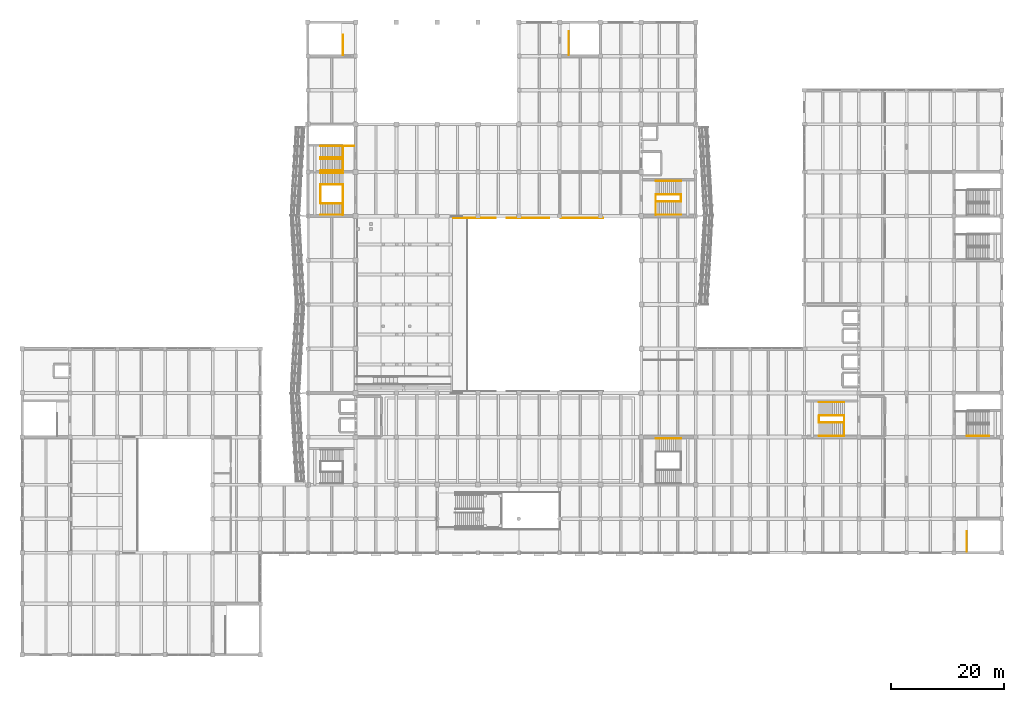
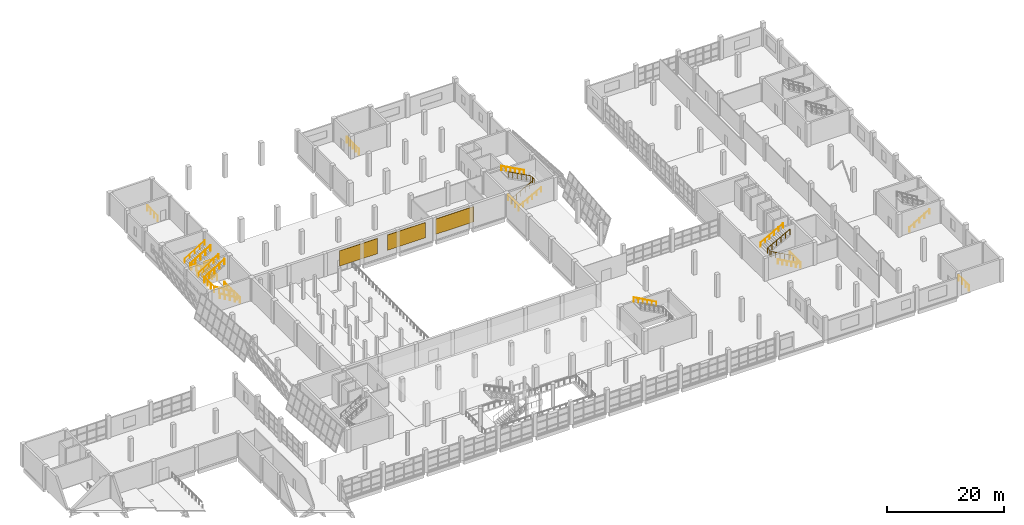
# One storey, part 90 of 91: 21 railings, 3 coverings.
"""IFC4 building model written with IfcOpenShell, lengths in metres."""

from ifc_helpers import new_model, si_unit, direction, frame, origin, origin_2d, place, context, subcontext, project, spatial, polyline, circle, outline, extrude, material, layer, layer_set, type_object, element, save


model = new_model("IFC4")

# Units and contexts
model_context = context("Model", 3, precision=1e-05, world=origin(), true_north=direction((0.0, 1.0)))
body_context = subcontext(model_context, "Body", "Model", "MODEL_VIEW")
ifc_project = project(units=[si_unit("LENGTHUNIT", "METRE"), si_unit("AREAUNIT", "SQUARE_METRE"), si_unit("VOLUMEUNIT", "CUBIC_METRE"), si_unit("PLANEANGLEUNIT", "RADIAN"), si_unit("MASSUNIT", "GRAM", prefix="KILO")], contexts=[model_context])

# Site, building, storey
site_placement = place(None, origin())
site = spatial("IfcSite", under=ifc_project, at=site_placement, CompositionType="ELEMENT")
building_placement = place(site_placement, origin())
building = spatial("IfcBuilding", under=site, at=building_placement, Name="Pellamere Symphony Hall", CompositionType="ELEMENT")
storey_placement = place(building_placement, frame((0.0, 0.0, 5.39990234375)))
storey = spatial("IfcBuildingStorey", under=building, at=storey_placement, Name="L01", CompositionType="ELEMENT", Elevation=5.39990234375)

# Railings
ifc_material_1 = material(Name="Painted Steel CSA G40.21 350W", Category="steel")
railing_type_1 = type_object("IfcRailingType", Name="Guardrail GR-02 H1150 Painted", PredefinedType="GUARDRAIL", material=ifc_material_1)
railing_1_placement = place(storey_placement, frame((145.02490234375, 40.989990234375, 0.0)))
element("IfcRailing", 1, at=railing_1_placement, inside=storey, type_object=railing_type_1, Name="Stair ST02-L01 Continuous Well Guardrail (L01)", PredefinedType="GUARDRAIL", context=body_context, shape_type="SweptSolid", body=[
    extrude(circle(Radius=0.02392578125, at=origin_2d()), frame((0.0, 0.0, 1.1259765625), z_axis=(-0.880139072787, 0.0, 0.47471592827), x_axis=(0.0, -1.0, 0.0)), (0.0, 0.0, 1.0), 5.055908203125),
    extrude(circle(Radius=0.02392578125, at=origin_2d()), frame((-4.449951171875, 0.0, 3.52587890625), z_axis=(0.0, 1.0, 0.0), x_axis=(-1.0, 0.0, 0.0)), (0.0, 0.0, 1.0), 1.219970703125),
    extrude(circle(Radius=0.02392578125, at=origin_2d()), frame((-4.449951171875, 1.219970703125, 3.52587890625), z_axis=(0.880159247811, 0.0, 0.474678521204), x_axis=(0.0, 1.0, 0.0)), (0.0, 0.0, 1.0), 5.055908203125),
    extrude(circle(Radius=0.02099609375, at=origin_2d()), origin(), (0.0, 0.0, 1.0), 1.101806640625),
    extrude(circle(Radius=0.02099609375, at=origin_2d()), frame((-0.889892578125, 0.0, 0.47998046875)), (0.0, 0.0, 1.0), 1.101806640625),
    extrude(circle(Radius=0.02099609375, at=origin_2d()), frame((-1.780029296875, 0.0, 0.9599609375)), (0.0, 0.0, 1.0), 1.101806640625),
    extrude(circle(Radius=0.02099609375, at=origin_2d()), frame((-2.669921875, 0.0, 1.440185546875)), (0.0, 0.0, 1.0), 1.101806640625),
    extrude(circle(Radius=0.02099609375, at=origin_2d()), frame((-3.56005859375, 0.0, 1.920166015625)), (0.0, 0.0, 1.0), 1.101806640625),
    extrude(circle(Radius=0.02099609375, at=origin_2d()), frame((-4.449951171875, 0.0, 2.400146484375)), (0.0, 0.0, 1.0), 1.101806640625),
    extrude(circle(Radius=0.02099609375, at=origin_2d()), frame((-4.449951171875, 0.60986328125, 2.400146484375)), (0.0, 0.0, 1.0), 1.101806640625),
    extrude(circle(Radius=0.02099609375, at=origin_2d()), frame((-4.449951171875, 1.219970703125, 2.400146484375)), (0.0, 0.0, 1.0), 1.101806640625),
    extrude(circle(Radius=0.02099609375, at=origin_2d()), frame((-3.56005859375, 1.219970703125, 2.880126953125)), (0.0, 0.0, 1.0), 1.101806640625),
    extrude(circle(Radius=0.02099609375, at=origin_2d()), frame((-2.669921875, 1.219970703125, 3.360107421875)), (0.0, 0.0, 1.0), 1.101806640625),
    extrude(circle(Radius=0.02099609375, at=origin_2d()), frame((-1.780029296875, 1.219970703125, 3.840087890625)), (0.0, 0.0, 1.0), 1.101806640625),
    extrude(circle(Radius=0.02099609375, at=origin_2d()), frame((-0.889892578125, 1.219970703125, 4.320068359375)), (0.0, 0.0, 1.0), 1.101806640625),
    extrude(circle(Radius=0.02099609375, at=origin_2d()), frame((0.0, 1.219970703125, 4.800048828125)), (0.0, 0.0, 1.0), 1.101806640625),
])
railing_2_placement = place(storey_placement, frame((145.02490234375, 38.610107421875, 0.0)))
element("IfcRailing", 2, at=railing_2_placement, inside=storey, type_object=railing_type_1, Name="Stair ST02-L01 Landing Well Slot Guard (L01)", PredefinedType="GUARDRAIL", context=body_context, shape_type="SweptSolid", body=[
    extrude(circle(Radius=0.02392578125, at=origin_2d()), frame((0.0, 0.0, 1.1259765625), z_axis=(0.0, 1.0, 0.0), x_axis=(-1.0, 0.0, 0.0)), (0.0, 0.0, 1.0), 3.599853515625),
    extrude(circle(Radius=0.02099609375, at=origin_2d()), origin(), (0.0, 0.0, 1.0), 1.101806640625),
    extrude(circle(Radius=0.02099609375, at=origin_2d()), frame((0.0, 1.199951171875, 0.0)), (0.0, 0.0, 1.0), 1.101806640625),
    extrude(circle(Radius=0.02099609375, at=origin_2d()), frame((0.0, 2.39990234375, 0.0)), (0.0, 0.0, 1.0), 1.101806640625),
    extrude(circle(Radius=0.02099609375, at=origin_2d()), frame((0.0, 3.599853515625, 0.0)), (0.0, 0.0, 1.0), 1.101806640625),
])
railing_3_placement = place(storey_placement, frame((111.77490234375, 79.989990234375, 0.0)))
element("IfcRailing", 3, at=railing_3_placement, inside=storey, type_object=railing_type_1, Name="Stair ST04-L01 Continuous Well Guardrail (L01)", PredefinedType="GUARDRAIL", context=body_context, shape_type="SweptSolid", body=[
    extrude(circle(Radius=0.02392578125, at=origin_2d()), frame((0.0, 0.0, 1.1259765625), z_axis=(0.880149953968, 0.0, 0.474695753646), x_axis=(0.0, 1.0, 0.0)), (0.0, 0.0, 1.0), 5.05615234375),
    extrude(circle(Radius=0.02392578125, at=origin_2d()), frame((4.4501953125, 0.0, 3.52587890625), z_axis=(0.0, 1.0, 0.0), x_axis=(-1.0, 0.0, 0.0)), (0.0, 0.0, 1.0), 1.219970703125),
    extrude(circle(Radius=0.02392578125, at=origin_2d()), frame((4.4501953125, 1.219970703125, 3.52587890625), z_axis=(-0.880170127527, 0.0, 0.474658347245), x_axis=(0.0, -1.0, 0.0)), (0.0, 0.0, 1.0), 5.05615234375),
    extrude(circle(Radius=0.02099609375, at=origin_2d()), origin(), (0.0, 0.0, 1.0), 1.101806640625),
    extrude(circle(Radius=0.02099609375, at=origin_2d()), frame((0.89013671875, 0.0, 0.47998046875)), (0.0, 0.0, 1.0), 1.101806640625),
    extrude(circle(Radius=0.02099609375, at=origin_2d()), frame((1.780029296875, 0.0, 0.9599609375)), (0.0, 0.0, 1.0), 1.101806640625),
    extrude(circle(Radius=0.02099609375, at=origin_2d()), frame((2.670166015625, 0.0, 1.440185546875)), (0.0, 0.0, 1.0), 1.101806640625),
    extrude(circle(Radius=0.02099609375, at=origin_2d()), frame((3.56005859375, 0.0, 1.920166015625)), (0.0, 0.0, 1.0), 1.101806640625),
    extrude(circle(Radius=0.02099609375, at=origin_2d()), frame((4.4501953125, 0.0, 2.400146484375)), (0.0, 0.0, 1.0), 1.101806640625),
    extrude(circle(Radius=0.02099609375, at=origin_2d()), frame((4.4501953125, 0.60986328125, 2.400146484375)), (0.0, 0.0, 1.0), 1.101806640625),
    extrude(circle(Radius=0.02099609375, at=origin_2d()), frame((4.4501953125, 1.219970703125, 2.400146484375)), (0.0, 0.0, 1.0), 1.101806640625),
    extrude(circle(Radius=0.02099609375, at=origin_2d()), frame((3.56005859375, 1.219970703125, 2.880126953125)), (0.0, 0.0, 1.0), 1.101806640625),
    extrude(circle(Radius=0.02099609375, at=origin_2d()), frame((2.670166015625, 1.219970703125, 3.360107421875)), (0.0, 0.0, 1.0), 1.101806640625),
    extrude(circle(Radius=0.02099609375, at=origin_2d()), frame((1.780029296875, 1.219970703125, 3.840087890625)), (0.0, 0.0, 1.0), 1.101806640625),
    extrude(circle(Radius=0.02099609375, at=origin_2d()), frame((0.89013671875, 1.219970703125, 4.320068359375)), (0.0, 0.0, 1.0), 1.101806640625),
    extrude(circle(Radius=0.02099609375, at=origin_2d()), frame((0.0, 1.219970703125, 4.800048828125)), (0.0, 0.0, 1.0), 1.101806640625),
])
railing_4_placement = place(storey_placement, frame((111.77490234375, 77.610107421875, 0.0)))
element("IfcRailing", 4, at=railing_4_placement, inside=storey, type_object=railing_type_1, Name="Stair ST04-L01 Landing Well Slot Guard (L01)", PredefinedType="GUARDRAIL", context=body_context, shape_type="SweptSolid", body=[
    extrude(circle(Radius=0.02392578125, at=origin_2d()), frame((0.0, 0.0, 1.1259765625), z_axis=(0.0, 1.0, 0.0), x_axis=(-1.0, 0.0, 0.0)), (0.0, 0.0, 1.0), 3.599853515625),
    extrude(circle(Radius=0.02099609375, at=origin_2d()), origin(), (0.0, 0.0, 1.0), 1.101806640625),
    extrude(circle(Radius=0.02099609375, at=origin_2d()), frame((0.0, 1.199951171875, 0.0)), (0.0, 0.0, 1.0), 1.101806640625),
    extrude(circle(Radius=0.02099609375, at=origin_2d()), frame((0.0, 2.39990234375, 0.0)), (0.0, 0.0, 1.0), 1.101806640625),
    extrude(circle(Radius=0.02099609375, at=origin_2d()), frame((0.0, 3.599853515625, 0.0)), (0.0, 0.0, 1.0), 1.101806640625),
])
railing_5_placement = place(storey_placement, frame((56.574951171875, 79.639892578125, 0.0)))
element("IfcRailing", 5, at=railing_5_placement, inside=storey, type_object=railing_type_1, Name="Stair ST07-L01 Continuous Well Guardrail (L01)", PredefinedType="GUARDRAIL", context=body_context, shape_type="SweptSolid", body=[
    extrude(circle(Radius=0.02392578125, at=origin_2d()), frame((0.0, 0.0, 1.1259765625), z_axis=(-0.854599162348, 0.0, 0.519288235679), x_axis=(0.0, -1.0, 0.0)), (0.0, 0.0, 1.0), 4.6220703125),
    extrude(circle(Radius=0.02392578125, at=origin_2d()), frame((-3.949951171875, 0.0, 3.52587890625), z_axis=(0.0, 1.0, 0.0), x_axis=(-1.0, 0.0, 0.0)), (0.0, 0.0, 1.0), 3.320068359375),
    extrude(circle(Radius=0.02392578125, at=origin_2d()), frame((-3.949951171875, 3.320068359375, 3.52587890625), z_axis=(0.854622603422, 0.0, 0.519249656446), x_axis=(0.0, 1.0, 0.0)), (0.0, 0.0, 1.0), 4.621826171875),
    extrude(circle(Radius=0.02099609375, at=origin_2d()), origin(), (0.0, 0.0, 1.0), 1.101806640625),
    extrude(circle(Radius=0.02099609375, at=origin_2d()), frame((-0.987548828125, 0.0, 0.60009765625)), (0.0, 0.0, 1.0), 1.101806640625),
    extrude(circle(Radius=0.02099609375, at=origin_2d()), frame((-1.97509765625, 0.0, 1.2001953125)), (0.0, 0.0, 1.0), 1.101806640625),
    extrude(circle(Radius=0.02099609375, at=origin_2d()), frame((-2.96240234375, 0.0, 1.800048828125)), (0.0, 0.0, 1.0), 1.101806640625),
    extrude(circle(Radius=0.02099609375, at=origin_2d()), frame((-3.949951171875, 0.0, 2.400146484375)), (0.0, 0.0, 1.0), 1.101806640625),
    extrude(circle(Radius=0.02099609375, at=origin_2d()), frame((-3.949951171875, 1.106689453125, 2.400146484375)), (0.0, 0.0, 1.0), 1.101806640625),
    extrude(circle(Radius=0.02099609375, at=origin_2d()), frame((-3.949951171875, 2.21337890625, 2.400146484375)), (0.0, 0.0, 1.0), 1.101806640625),
    extrude(circle(Radius=0.02099609375, at=origin_2d()), frame((-3.949951171875, 3.320068359375, 2.400146484375)), (0.0, 0.0, 1.0), 1.101806640625),
    extrude(circle(Radius=0.02099609375, at=origin_2d()), frame((-2.96240234375, 3.320068359375, 3.0)), (0.0, 0.0, 1.0), 1.101806640625),
    extrude(circle(Radius=0.02099609375, at=origin_2d()), frame((-1.97509765625, 3.320068359375, 3.60009765625)), (0.0, 0.0, 1.0), 1.101806640625),
    extrude(circle(Radius=0.02099609375, at=origin_2d()), frame((-0.987548828125, 3.320068359375, 4.2001953125)), (0.0, 0.0, 1.0), 1.101806640625),
    extrude(circle(Radius=0.02099609375, at=origin_2d()), frame((0.0, 3.320068359375, 4.800048828125)), (0.0, 0.0, 1.0), 1.101806640625),
])
railing_6_placement = place(storey_placement, frame((56.574951171875, 77.610107421875, 0.0)))
element("IfcRailing", 6, at=railing_6_placement, inside=storey, type_object=railing_type_1, Name="Stair ST07-L01 Landing Well Slot Guard (L01)", PredefinedType="GUARDRAIL", context=body_context, shape_type="SweptSolid", body=[
    extrude(circle(Radius=0.02392578125, at=origin_2d()), frame((0.0, 0.0, 1.1259765625), z_axis=(0.0, 1.0, 0.0), x_axis=(-1.0, 0.0, 0.0)), (0.0, 0.0, 1.0), 5.349853515625),
    extrude(circle(Radius=0.02099609375, at=origin_2d()), origin(), (0.0, 0.0, 1.0), 1.101806640625),
    extrude(circle(Radius=0.02099609375, at=origin_2d()), frame((0.0, 1.070068359375, 0.0)), (0.0, 0.0, 1.0), 1.101806640625),
    extrude(circle(Radius=0.02099609375, at=origin_2d()), frame((0.0, 2.139892578125, 0.0)), (0.0, 0.0, 1.0), 1.101806640625),
    extrude(circle(Radius=0.02099609375, at=origin_2d()), frame((0.0, 3.2099609375, 0.0)), (0.0, 0.0, 1.0), 1.101806640625),
    extrude(circle(Radius=0.02099609375, at=origin_2d()), frame((0.0, 4.27978515625, 0.0)), (0.0, 0.0, 1.0), 1.101806640625),
    extrude(circle(Radius=0.02099609375, at=origin_2d()), frame((0.0, 5.349853515625, 0.0)), (0.0, 0.0, 1.0), 1.101806640625),
])
railing_7_placement = place(storey_placement, frame((56.574951171875, 105.81005859375, 0.0)))
element("IfcRailing", 7, at=railing_7_placement, inside=storey, type_object=railing_type_1, Name="Stair ST10-L00 Top Landing Well Guard (L01)", PredefinedType="GUARDRAIL", context=body_context, shape_type="SweptSolid", body=[
    extrude(circle(Radius=0.02392578125, at=origin_2d()), frame((0.0, 0.0, 1.1259765625), z_axis=(0.0, 1.0, 0.0), x_axis=(-1.0, 0.0, 0.0)), (0.0, 0.0, 1.0), 3.550048828125),
    extrude(circle(Radius=0.02099609375, at=origin_2d()), origin(), (0.0, 0.0, 1.0), 1.101806640625),
    extrude(circle(Radius=0.02099609375, at=origin_2d()), frame((0.0, 1.183349609375, 0.0)), (0.0, 0.0, 1.0), 1.101806640625),
    extrude(circle(Radius=0.02099609375, at=origin_2d()), frame((0.0, 2.36669921875, 0.0)), (0.0, 0.0, 1.0), 1.101806640625),
    extrude(circle(Radius=0.02099609375, at=origin_2d()), frame((0.0, 3.550048828125, 0.0)), (0.0, 0.0, 1.0), 1.101806640625),
])
railing_8_placement = place(storey_placement, frame((96.425048828125, 105.81005859375, 0.0)))
element("IfcRailing", 8, at=railing_8_placement, inside=storey, type_object=railing_type_1, Name="Stair ST11-L00 Top Landing Well Guard (L01)", PredefinedType="GUARDRAIL", context=body_context, shape_type="SweptSolid", body=[
    extrude(circle(Radius=0.02392578125, at=origin_2d()), frame((0.0, 0.0, 1.1259765625), z_axis=(0.0, 1.0, 0.0), x_axis=(-1.0, 0.0, 0.0)), (0.0, 0.0, 1.0), 4.14990234375),
    extrude(circle(Radius=0.02099609375, at=origin_2d()), origin(), (0.0, 0.0, 1.0), 1.101806640625),
    extrude(circle(Radius=0.02099609375, at=origin_2d()), frame((0.0, 1.03759765625, 0.0)), (0.0, 0.0, 1.0), 1.101806640625),
    extrude(circle(Radius=0.02099609375, at=origin_2d()), frame((0.0, 2.074951171875, 0.0)), (0.0, 0.0, 1.0), 1.101806640625),
    extrude(circle(Radius=0.02099609375, at=origin_2d()), frame((0.0, 3.1123046875, 0.0)), (0.0, 0.0, 1.0), 1.101806640625),
    extrude(circle(Radius=0.02099609375, at=origin_2d()), frame((0.0, 4.14990234375, 0.0)), (0.0, 0.0, 1.0), 1.101806640625),
])
railing_9_placement = place(storey_placement, frame((166.625, 18.2099609375, 0.0)))
element("IfcRailing", 9, at=railing_9_placement, inside=storey, type_object=railing_type_1, Name="Stair ST12-L00 Top Landing Well Guard (L01)", PredefinedType="GUARDRAIL", context=body_context, shape_type="SweptSolid", body=[
    extrude(circle(Radius=0.02392578125, at=origin_2d()), frame((0.0, 0.0, 1.1259765625), z_axis=(0.0, 1.0, 0.0), x_axis=(-1.0, 0.0, 0.0)), (0.0, 0.0, 1.0), 3.550048828125),
    extrude(circle(Radius=0.02099609375, at=origin_2d()), origin(), (0.0, 0.0, 1.0), 1.101806640625),
    extrude(circle(Radius=0.02099609375, at=origin_2d()), frame((0.0, 1.183349609375, 0.0)), (0.0, 0.0, 1.0), 1.101806640625),
    extrude(circle(Radius=0.02099609375, at=origin_2d()), frame((0.0, 2.36669921875, 0.0)), (0.0, 0.0, 1.0), 1.101806640625),
    extrude(circle(Radius=0.02099609375, at=origin_2d()), frame((0.0, 3.550048828125, 0.0)), (0.0, 0.0, 1.0), 1.101806640625),
])
railing_10_placement = place(storey_placement, frame((56.574951171875, 87.43994140625, 0.0)))
element("IfcRailing", 10, at=railing_10_placement, inside=storey, type_object=railing_type_1, Name="Stair ST13-L01 Continuous Well Guardrail (L01)", PredefinedType="GUARDRAIL", context=body_context, shape_type="SweptSolid", body=[
    extrude(circle(Radius=0.02392578125, at=origin_2d()), frame((0.0, 0.0, 1.1259765625), z_axis=(-0.854599162348, 0.0, 0.519288235679), x_axis=(0.0, -1.0, 0.0)), (0.0, 0.0, 1.0), 4.6220703125),
    extrude(circle(Radius=0.02392578125, at=origin_2d()), frame((-3.949951171875, 0.0, 3.52587890625), z_axis=(0.0, 1.0, 0.0), x_axis=(-1.0, 0.0, 0.0)), (0.0, 0.0, 1.0), 0.280029296875),
    extrude(circle(Radius=0.02392578125, at=origin_2d()), frame((-3.949951171875, 0.280029296875, 3.52587890625), z_axis=(0.854622603422, 0.0, 0.519249656446), x_axis=(0.0, 1.0, 0.0)), (0.0, 0.0, 1.0), 4.621826171875),
    extrude(circle(Radius=0.02099609375, at=origin_2d()), origin(), (0.0, 0.0, 1.0), 1.101806640625),
    extrude(circle(Radius=0.02099609375, at=origin_2d()), frame((-0.987548828125, 0.0, 0.60009765625)), (0.0, 0.0, 1.0), 1.101806640625),
    extrude(circle(Radius=0.02099609375, at=origin_2d()), frame((-1.97509765625, 0.0, 1.2001953125)), (0.0, 0.0, 1.0), 1.101806640625),
    extrude(circle(Radius=0.02099609375, at=origin_2d()), frame((-2.96240234375, 0.0, 1.800048828125)), (0.0, 0.0, 1.0), 1.101806640625),
    extrude(circle(Radius=0.02099609375, at=origin_2d()), frame((-3.949951171875, 0.0, 2.400146484375)), (0.0, 0.0, 1.0), 1.101806640625),
    extrude(circle(Radius=0.02099609375, at=origin_2d()), frame((-3.949951171875, 0.280029296875, 2.400146484375)), (0.0, 0.0, 1.0), 1.101806640625),
    extrude(circle(Radius=0.02099609375, at=origin_2d()), frame((-2.96240234375, 0.280029296875, 3.0)), (0.0, 0.0, 1.0), 1.101806640625),
    extrude(circle(Radius=0.02099609375, at=origin_2d()), frame((-1.97509765625, 0.280029296875, 3.60009765625)), (0.0, 0.0, 1.0), 1.101806640625),
    extrude(circle(Radius=0.02099609375, at=origin_2d()), frame((-0.987548828125, 0.280029296875, 4.2001953125)), (0.0, 0.0, 1.0), 1.101806640625),
    extrude(circle(Radius=0.02099609375, at=origin_2d()), frame((0.0, 0.280029296875, 4.800048828125)), (0.0, 0.0, 1.0), 1.101806640625),
])
railing_11_placement = place(storey_placement, frame((56.574951171875, 85.409912109375, 0.0)))
element("IfcRailing", 11, at=railing_11_placement, inside=storey, type_object=railing_type_1, Name="Stair ST13-L01 Landing Well Slot Guard (L01)", PredefinedType="GUARDRAIL", context=body_context, shape_type="SweptSolid", body=[
    extrude(circle(Radius=0.02392578125, at=origin_2d()), frame((0.0, 0.0, 1.1259765625), z_axis=(0.0, 1.0, 0.0), x_axis=(-1.0, 0.0, 0.0)), (0.0, 0.0, 1.0), 4.340087890625),
    extrude(circle(Radius=0.02392578125, at=origin_2d()), frame((0.0, 4.340087890625, 1.1259765625), z_axis=(1.0, 0.0, 0.0), x_axis=(0.0, 1.0, 0.0)), (0.0, 0.0, 1.0), 2.01513671875),
    extrude(circle(Radius=0.02099609375, at=origin_2d()), origin(), (0.0, 0.0, 1.0), 1.101806640625),
    extrude(circle(Radius=0.02099609375, at=origin_2d()), frame((0.0, 1.0849609375, 0.0)), (0.0, 0.0, 1.0), 1.101806640625),
    extrude(circle(Radius=0.02099609375, at=origin_2d()), frame((0.0, 2.169921875, 0.0)), (0.0, 0.0, 1.0), 1.101806640625),
    extrude(circle(Radius=0.02099609375, at=origin_2d()), frame((0.0, 3.255126953125, 0.0)), (0.0, 0.0, 1.0), 1.101806640625),
    extrude(circle(Radius=0.02099609375, at=origin_2d()), frame((0.0, 4.340087890625, 0.0)), (0.0, 0.0, 1.0), 1.101806640625),
    extrude(circle(Radius=0.02099609375, at=origin_2d()), frame((1.007568359375, 4.340087890625, 0.0)), (0.0, 0.0, 1.0), 1.101806640625),
    extrude(circle(Radius=0.02099609375, at=origin_2d()), frame((2.01513671875, 4.340087890625, 0.0)), (0.0, 0.0, 1.0), 1.101806640625),
])
ifc_material_2 = material(Name="Stainless Steel AISI 316", Category="steel")
railing_type_2 = type_object("IfcRailingType", Name="Handrail HR-01 H920 Stainless", PredefinedType="HANDRAIL", material=ifc_material_2)
railing_12_placement = place(storey_placement, frame((145.02490234375, 38.6201171875, 0.0)))
element("IfcRailing", 12, at=railing_12_placement, inside=storey, type_object=railing_type_2, Name="Stair ST02-L01 Lower Wall Handrail (L01)", PredefinedType="HANDRAIL", context=body_context, shape_type="SweptSolid", body=[
    extrude(circle(Radius=0.02392578125, at=origin_2d()), frame((0.0, 0.0, 0.89599609375), z_axis=(-0.880139072787, 0.0, 0.47471592827), x_axis=(0.0, -1.0, 0.0)), (0.0, 0.0, 1.0), 5.055908203125),
    extrude(circle(Radius=0.02099609375, at=origin_2d()), origin(), (0.0, 0.0, 1.0), 0.871826171875),
    extrude(circle(Radius=0.02099609375, at=origin_2d()), frame((-0.889892578125, 0.0, 0.47998046875)), (0.0, 0.0, 1.0), 0.871826171875),
    extrude(circle(Radius=0.02099609375, at=origin_2d()), frame((-1.780029296875, 0.0, 0.9599609375)), (0.0, 0.0, 1.0), 0.871826171875),
    extrude(circle(Radius=0.02099609375, at=origin_2d()), frame((-2.669921875, 0.0, 1.440185546875)), (0.0, 0.0, 1.0), 0.871826171875),
    extrude(circle(Radius=0.02099609375, at=origin_2d()), frame((-3.56005859375, 0.0, 1.920166015625)), (0.0, 0.0, 1.0), 0.871826171875),
    extrude(circle(Radius=0.02099609375, at=origin_2d()), frame((-4.449951171875, 0.0, 2.400146484375)), (0.0, 0.0, 1.0), 0.871826171875),
])
railing_13_placement = place(storey_placement, frame((140.574951171875, 44.580078125, 2.400146484375)))
element("IfcRailing", 13, at=railing_13_placement, inside=storey, type_object=railing_type_2, Name="Stair ST02-L01 Upper Wall Handrail (L01)", PredefinedType="HANDRAIL", context=body_context, shape_type="SweptSolid", body=[
    extrude(circle(Radius=0.02392578125, at=origin_2d()), frame((0.0, 0.0, 0.89599609375), z_axis=(0.880159247811, 0.0, 0.474678521204), x_axis=(0.0, 1.0, 0.0)), (0.0, 0.0, 1.0), 5.055908203125),
    extrude(circle(Radius=0.02099609375, at=origin_2d()), origin(), (0.0, 0.0, 1.0), 0.871826171875),
    extrude(circle(Radius=0.02099609375, at=origin_2d()), frame((0.889892578125, 0.0, 0.47998046875)), (0.0, 0.0, 1.0), 0.871826171875),
    extrude(circle(Radius=0.02099609375, at=origin_2d()), frame((1.780029296875, 0.0, 0.9599609375)), (0.0, 0.0, 1.0), 0.871826171875),
    extrude(circle(Radius=0.02099609375, at=origin_2d()), frame((2.669921875, 0.0, 1.43994140625)), (0.0, 0.0, 1.0), 0.871826171875),
    extrude(circle(Radius=0.02099609375, at=origin_2d()), frame((3.56005859375, 0.0, 1.919921875)), (0.0, 0.0, 1.0), 0.871826171875),
    extrude(circle(Radius=0.02099609375, at=origin_2d()), frame((4.449951171875, 0.0, 2.39990234375)), (0.0, 0.0, 1.0), 0.871826171875),
])
railing_14_placement = place(storey_placement, frame((111.77490234375, 77.6201171875, 0.0)))
element("IfcRailing", 14, at=railing_14_placement, inside=storey, type_object=railing_type_2, Name="Stair ST04-L01 Lower Wall Handrail (L01)", PredefinedType="HANDRAIL", context=body_context, shape_type="SweptSolid", body=[
    extrude(circle(Radius=0.02392578125, at=origin_2d()), frame((0.0, 0.0, 0.89599609375), z_axis=(0.880149953968, 0.0, 0.474695753646), x_axis=(0.0, 1.0, 0.0)), (0.0, 0.0, 1.0), 5.05615234375),
    extrude(circle(Radius=0.02099609375, at=origin_2d()), origin(), (0.0, 0.0, 1.0), 0.871826171875),
    extrude(circle(Radius=0.02099609375, at=origin_2d()), frame((0.89013671875, 0.0, 0.47998046875)), (0.0, 0.0, 1.0), 0.871826171875),
    extrude(circle(Radius=0.02099609375, at=origin_2d()), frame((1.780029296875, 0.0, 0.9599609375)), (0.0, 0.0, 1.0), 0.871826171875),
    extrude(circle(Radius=0.02099609375, at=origin_2d()), frame((2.670166015625, 0.0, 1.440185546875)), (0.0, 0.0, 1.0), 0.871826171875),
    extrude(circle(Radius=0.02099609375, at=origin_2d()), frame((3.56005859375, 0.0, 1.920166015625)), (0.0, 0.0, 1.0), 0.871826171875),
    extrude(circle(Radius=0.02099609375, at=origin_2d()), frame((4.4501953125, 0.0, 2.400146484375)), (0.0, 0.0, 1.0), 0.871826171875),
])
railing_15_placement = place(storey_placement, frame((116.22509765625, 83.580078125, 2.400146484375)))
element("IfcRailing", 15, at=railing_15_placement, inside=storey, type_object=railing_type_2, Name="Stair ST04-L01 Upper Wall Handrail (L01)", PredefinedType="HANDRAIL", context=body_context, shape_type="SweptSolid", body=[
    extrude(circle(Radius=0.02392578125, at=origin_2d()), frame((0.0, 0.0, 0.89599609375), z_axis=(-0.880170127527, 0.0, 0.474658347245), x_axis=(0.0, -1.0, 0.0)), (0.0, 0.0, 1.0), 5.05615234375),
    extrude(circle(Radius=0.02099609375, at=origin_2d()), origin(), (0.0, 0.0, 1.0), 0.871826171875),
    extrude(circle(Radius=0.02099609375, at=origin_2d()), frame((-0.89013671875, 0.0, 0.47998046875)), (0.0, 0.0, 1.0), 0.871826171875),
    extrude(circle(Radius=0.02099609375, at=origin_2d()), frame((-1.780029296875, 0.0, 0.9599609375)), (0.0, 0.0, 1.0), 0.871826171875),
    extrude(circle(Radius=0.02099609375, at=origin_2d()), frame((-2.670166015625, 0.0, 1.43994140625)), (0.0, 0.0, 1.0), 0.871826171875),
    extrude(circle(Radius=0.02099609375, at=origin_2d()), frame((-3.56005859375, 0.0, 1.919921875)), (0.0, 0.0, 1.0), 0.871826171875),
    extrude(circle(Radius=0.02099609375, at=origin_2d()), frame((-4.4501953125, 0.0, 2.39990234375)), (0.0, 0.0, 1.0), 0.871826171875),
])
railing_16_placement = place(storey_placement, frame((166.625, 38.6201171875, 0.0)))
element("IfcRailing", 16, at=railing_16_placement, inside=storey, type_object=railing_type_2, Name="Stair ST06-L01 Lower Wall Handrail (L01)", PredefinedType="HANDRAIL", context=body_context, shape_type="SweptSolid", body=[
    extrude(circle(Radius=0.02392578125, at=origin_2d()), frame((0.0, 0.0, 0.89599609375), z_axis=(0.854599162348, 0.0, 0.519288235679), x_axis=(0.0, 1.0, 0.0)), (0.0, 0.0, 1.0), 4.6220703125),
    extrude(circle(Radius=0.02099609375, at=origin_2d()), origin(), (0.0, 0.0, 1.0), 0.871826171875),
    extrude(circle(Radius=0.02099609375, at=origin_2d()), frame((0.987548828125, 0.0, 0.60009765625)), (0.0, 0.0, 1.0), 0.871826171875),
    extrude(circle(Radius=0.02099609375, at=origin_2d()), frame((1.97509765625, 0.0, 1.2001953125)), (0.0, 0.0, 1.0), 0.871826171875),
    extrude(circle(Radius=0.02099609375, at=origin_2d()), frame((2.96240234375, 0.0, 1.800048828125)), (0.0, 0.0, 1.0), 0.871826171875),
    extrude(circle(Radius=0.02099609375, at=origin_2d()), frame((3.949951171875, 0.0, 2.400146484375)), (0.0, 0.0, 1.0), 0.871826171875),
])
railing_17_placement = place(storey_placement, frame((56.574951171875, 77.6201171875, 0.0)))
element("IfcRailing", 17, at=railing_17_placement, inside=storey, type_object=railing_type_2, Name="Stair ST07-L01 Lower Wall Handrail (L01)", PredefinedType="HANDRAIL", context=body_context, shape_type="SweptSolid", body=[
    extrude(circle(Radius=0.02392578125, at=origin_2d()), frame((0.0, 0.0, 0.89599609375), z_axis=(-0.854599162348, 0.0, 0.519288235679), x_axis=(0.0, -1.0, 0.0)), (0.0, 0.0, 1.0), 4.6220703125),
    extrude(circle(Radius=0.02099609375, at=origin_2d()), origin(), (0.0, 0.0, 1.0), 0.871826171875),
    extrude(circle(Radius=0.02099609375, at=origin_2d()), frame((-0.987548828125, 0.0, 0.60009765625)), (0.0, 0.0, 1.0), 0.871826171875),
    extrude(circle(Radius=0.02099609375, at=origin_2d()), frame((-1.97509765625, 0.0, 1.2001953125)), (0.0, 0.0, 1.0), 0.871826171875),
    extrude(circle(Radius=0.02099609375, at=origin_2d()), frame((-2.96240234375, 0.0, 1.800048828125)), (0.0, 0.0, 1.0), 0.871826171875),
    extrude(circle(Radius=0.02099609375, at=origin_2d()), frame((-3.949951171875, 0.0, 2.400146484375)), (0.0, 0.0, 1.0), 0.871826171875),
])
railing_18_placement = place(storey_placement, frame((52.625, 84.97998046875, 2.400146484375)))
element("IfcRailing", 18, at=railing_18_placement, inside=storey, type_object=railing_type_2, Name="Stair ST07-L01 Upper Wall Handrail (L01)", PredefinedType="HANDRAIL", context=body_context, shape_type="SweptSolid", body=[
    extrude(circle(Radius=0.02392578125, at=origin_2d()), frame((0.0, 0.0, 0.89599609375), z_axis=(0.854622603422, 0.0, 0.519249656446), x_axis=(0.0, 1.0, 0.0)), (0.0, 0.0, 1.0), 4.621826171875),
    extrude(circle(Radius=0.02099609375, at=origin_2d()), origin(), (0.0, 0.0, 1.0), 0.871826171875),
    extrude(circle(Radius=0.02099609375, at=origin_2d()), frame((0.987548828125, 0.0, 0.60009765625)), (0.0, 0.0, 1.0), 0.871826171875),
    extrude(circle(Radius=0.02099609375, at=origin_2d()), frame((1.97509765625, 0.0, 1.199951171875)), (0.0, 0.0, 1.0), 0.871826171875),
    extrude(circle(Radius=0.02099609375, at=origin_2d()), frame((2.96240234375, 0.0, 1.7998046875)), (0.0, 0.0, 1.0), 0.871826171875),
    extrude(circle(Radius=0.02099609375, at=origin_2d()), frame((3.949951171875, 0.0, 2.39990234375)), (0.0, 0.0, 1.0), 0.871826171875),
])
railing_19_placement = place(storey_placement, frame((116.22509765625, 38.179931640625, 2.400146484375)))
element("IfcRailing", 19, at=railing_19_placement, inside=storey, type_object=railing_type_2, Name="Stair ST08-L01 Upper Wall Handrail (L01)", PredefinedType="HANDRAIL", context=body_context, shape_type="SweptSolid", body=[
    extrude(circle(Radius=0.02392578125, at=origin_2d()), frame((0.0, 0.0, 0.89599609375), z_axis=(-0.880170127527, 0.0, 0.474658347245), x_axis=(0.0, -1.0, 0.0)), (0.0, 0.0, 1.0), 5.05615234375),
    extrude(circle(Radius=0.02099609375, at=origin_2d()), origin(), (0.0, 0.0, 1.0), 0.871826171875),
    extrude(circle(Radius=0.02099609375, at=origin_2d()), frame((-0.89013671875, 0.0, 0.47998046875)), (0.0, 0.0, 1.0), 0.871826171875),
    extrude(circle(Radius=0.02099609375, at=origin_2d()), frame((-1.780029296875, 0.0, 0.9599609375)), (0.0, 0.0, 1.0), 0.871826171875),
    extrude(circle(Radius=0.02099609375, at=origin_2d()), frame((-2.670166015625, 0.0, 1.43994140625)), (0.0, 0.0, 1.0), 0.871826171875),
    extrude(circle(Radius=0.02099609375, at=origin_2d()), frame((-3.56005859375, 0.0, 1.919921875)), (0.0, 0.0, 1.0), 0.871826171875),
    extrude(circle(Radius=0.02099609375, at=origin_2d()), frame((-4.4501953125, 0.0, 2.39990234375)), (0.0, 0.0, 1.0), 0.871826171875),
])
railing_20_placement = place(storey_placement, frame((56.574951171875, 85.419921875, 0.0)))
element("IfcRailing", 20, at=railing_20_placement, inside=storey, type_object=railing_type_2, Name="Stair ST13-L01 Lower Wall Handrail (L01)", PredefinedType="HANDRAIL", context=body_context, shape_type="SweptSolid", body=[
    extrude(circle(Radius=0.02392578125, at=origin_2d()), frame((0.0, 0.0, 0.89599609375), z_axis=(-0.854599162348, 0.0, 0.519288235679), x_axis=(0.0, -1.0, 0.0)), (0.0, 0.0, 1.0), 4.6220703125),
    extrude(circle(Radius=0.02099609375, at=origin_2d()), origin(), (0.0, 0.0, 1.0), 0.871826171875),
    extrude(circle(Radius=0.02099609375, at=origin_2d()), frame((-0.987548828125, 0.0, 0.60009765625)), (0.0, 0.0, 1.0), 0.871826171875),
    extrude(circle(Radius=0.02099609375, at=origin_2d()), frame((-1.97509765625, 0.0, 1.2001953125)), (0.0, 0.0, 1.0), 0.871826171875),
    extrude(circle(Radius=0.02099609375, at=origin_2d()), frame((-2.96240234375, 0.0, 1.800048828125)), (0.0, 0.0, 1.0), 0.871826171875),
    extrude(circle(Radius=0.02099609375, at=origin_2d()), frame((-3.949951171875, 0.0, 2.400146484375)), (0.0, 0.0, 1.0), 0.871826171875),
])
railing_21_placement = place(storey_placement, frame((52.625, 89.739990234375, 2.400146484375)))
element("IfcRailing", 21, at=railing_21_placement, inside=storey, type_object=railing_type_2, Name="Stair ST13-L01 Upper Wall Handrail (L01)", PredefinedType="HANDRAIL", context=body_context, shape_type="SweptSolid", body=[
    extrude(circle(Radius=0.02392578125, at=origin_2d()), frame((0.0, 0.0, 0.89599609375), z_axis=(0.854622603422, 0.0, 0.519249656446), x_axis=(0.0, 1.0, 0.0)), (0.0, 0.0, 1.0), 4.621826171875),
    extrude(circle(Radius=0.02099609375, at=origin_2d()), origin(), (0.0, 0.0, 1.0), 0.871826171875),
    extrude(circle(Radius=0.02099609375, at=origin_2d()), frame((0.987548828125, 0.0, 0.60009765625)), (0.0, 0.0, 1.0), 0.871826171875),
    extrude(circle(Radius=0.02099609375, at=origin_2d()), frame((1.97509765625, 0.0, 1.199951171875)), (0.0, 0.0, 1.0), 0.871826171875),
    extrude(circle(Radius=0.02099609375, at=origin_2d()), frame((2.96240234375, 0.0, 1.7998046875)), (0.0, 0.0, 1.0), 0.871826171875),
    extrude(circle(Radius=0.02099609375, at=origin_2d()), frame((3.949951171875, 0.0, 2.39990234375)), (0.0, 0.0, 1.0), 0.871826171875),
])

# Coverings
ifc_material_3 = material(Name="Shaped White Oak Side-Wall Acoustic Diffuser Liner", Category="wood")
ifc_layer = layer(ifc_material_3, 0.074951171875, Name="Shaped White Oak Side-Wall Acoustic Diffuser Liner")
ifc_layer_set = layer_set([ifc_layer], Name="Shaped White Oak Side-Wall Acoustic Diffuser Liner")
covering_type = type_object("IfcCoveringType", Name="Interior Covering AW-01 75mm", PredefinedType="CLADDING", material=ifc_layer_set)
covering_1_placement = place(storey_placement, frame((0.0, 0.0, 1.2001953125)))
element("IfcCovering", 22, at=covering_1_placement, inside=storey, type_object=covering_type, Name="Shaped Oak Side-Wall Acoustic Diffuser N1", PredefinedType="CLADDING", context=body_context, shape_type="SweptSolid", body=[
    extrude(outline(polyline([(76.0, 77.06005859375), (83.5, 77.06005859375), (83.5, 77.139892578125), (76.0, 77.139892578125), (76.0, 77.06005859375)])), origin(), (0.0, 0.0, 1.0), 3.199951171875),
])
covering_2_placement = place(storey_placement, frame((0.0, 0.0, 1.2001953125)))
element("IfcCovering", 23, at=covering_2_placement, inside=storey, type_object=covering_type, Name="Shaped Oak Side-Wall Acoustic Diffuser N2", PredefinedType="CLADDING", context=body_context, shape_type="SweptSolid", body=[
    extrude(outline(polyline([(85.5, 77.06005859375), (93.0, 77.06005859375), (93.0, 77.139892578125), (85.5, 77.139892578125), (85.5, 77.06005859375)])), origin(), (0.0, 0.0, 1.0), 3.199951171875),
])
covering_3_placement = place(storey_placement, frame((0.0, 0.0, 1.2001953125)))
element("IfcCovering", 24, at=covering_3_placement, inside=storey, type_object=covering_type, Name="Shaped Oak Side-Wall Acoustic Diffuser N3", PredefinedType="CLADDING", context=body_context, shape_type="SweptSolid", body=[
    extrude(outline(polyline([(95.0, 77.06005859375), (102.5, 77.06005859375), (102.5, 77.139892578125), (95.0, 77.139892578125), (95.0, 77.06005859375)])), origin(), (0.0, 0.0, 1.0), 3.199951171875),
])

save(model, "model.ifc")
